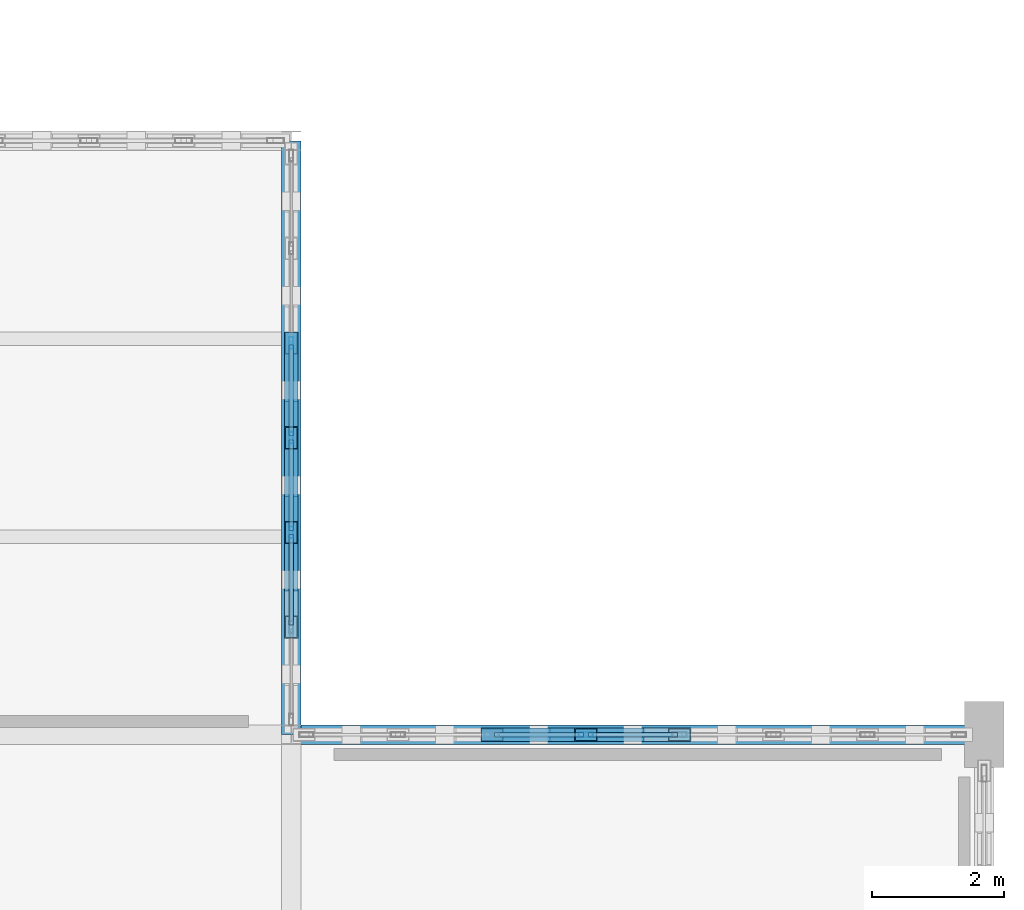
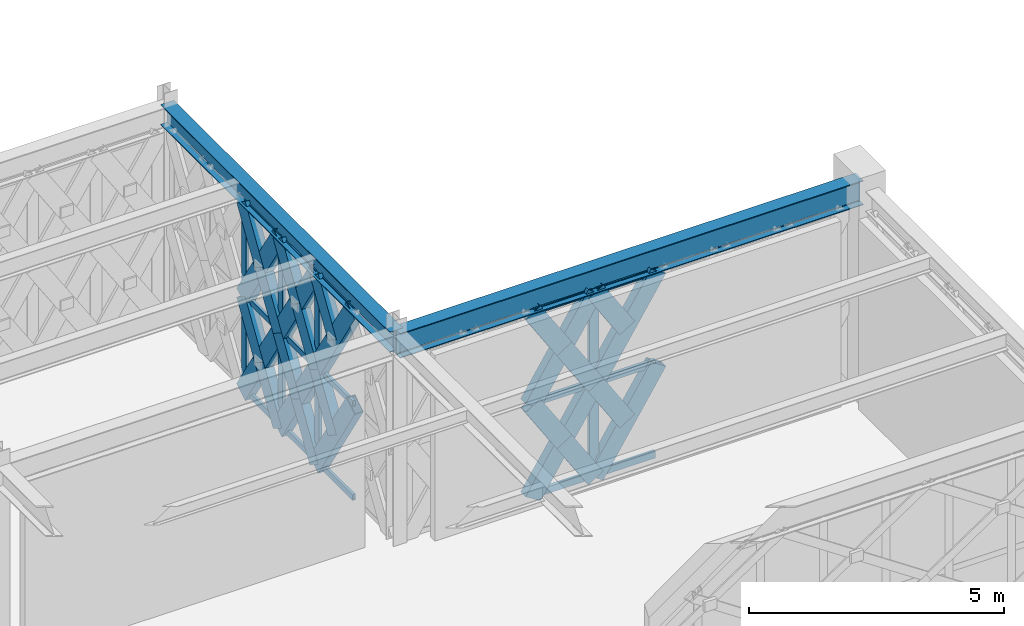
# One storey, part 109 of 155: 45 members, 2 beams, 2 elements without a shape of their own.
"""IFC4 building model written with IfcOpenShell, lengths in metres."""

from ifc_helpers import new_model, si_unit, direction, frame, origin, origin_2d, place, context, subcontext, project, spatial, hollow_rectangle, i_section, extrude, material, material_profile, profile_set, type_object, element, aggregate, save


model = new_model("IFC4")

# Units and contexts
model_context = context("Model", 3, precision=1e-05, world=origin(), true_north=direction((0.0, 1.0)))
body_context = subcontext(model_context, "Body", "Model", "MODEL_VIEW")
ifc_project = project(units=[si_unit("LENGTHUNIT", "METRE"), si_unit("AREAUNIT", "SQUARE_METRE"), si_unit("VOLUMEUNIT", "CUBIC_METRE"), si_unit("PLANEANGLEUNIT", "RADIAN"), si_unit("MASSUNIT", "GRAM", prefix="KILO")], contexts=[model_context])

# Site, building, storey
site_placement = place(None, origin())
site = spatial("IfcSite", under=ifc_project, at=site_placement, CompositionType="ELEMENT")
building_placement = place(site_placement, origin())
building = spatial("IfcBuilding", under=site, at=building_placement, Name="Haizhuo Lancet Aquarium", CompositionType="ELEMENT")
storey_placement = place(building_placement, frame((0.0, 0.0, 10.800048828125)))
storey = spatial("IfcBuildingStorey", under=building, at=storey_placement, Name="L02", CompositionType="ELEMENT", Elevation=10.800048828125)

# Beams
ifc_material_1 = material(Name="Steel S355", Category="steel")
ifc_material_profile_1 = material_profile(ifc_material_1, i_section(OverallWidth=0.300048828125, OverallDepth=0.488037109375, WebThickness=0.010986328125, FlangeThickness=0.01806640625, FilletRadius=0.02392578125, at=origin_2d()), Name="HM 488x300x11x18")
ifc_profile_set_1 = profile_set([ifc_material_profile_1], Name="Steel S355")
beam_type_1 = type_object("IfcBeamType", Name="BM-ST-HM488", PredefinedType="BEAM", material=ifc_profile_set_1)
beam_1_placement = place(storey_placement, frame((72.0, 18.0, 4.805908203125), z_axis=(0.0, 1.0, 0.0), x_axis=(-1.0, 0.0, 0.0)))
element("IfcBeam", 1, at=beam_1_placement, inside=storey, type_object=beam_type_1, Name="L02 V7 primary girder BM-L02-V7-029", PredefinedType="BEAM", context=body_context, shape_type="SweptSolid", body=[
    extrude(i_section(OverallWidth=0.300048828125, OverallDepth=0.488037109375, WebThickness=0.010986328125, FlangeThickness=0.01806640625, FilletRadius=0.02392578125, at=origin_2d()), origin(), (0.0, 0.0, 1.0), 9.0),
])
ifc_material_profile_2 = material_profile(ifc_material_1, i_section(OverallWidth=0.300048828125, OverallDepth=0.587890625, WebThickness=0.011962890625, FlangeThickness=0.02001953125, FilletRadius=0.02587890625, at=origin_2d()), Name="HM 588x300x12x20")
ifc_profile_set_2 = profile_set([ifc_material_profile_2], Name="Steel S355")
beam_type_2 = type_object("IfcBeamType", Name="BM-ST-HM588", PredefinedType="BEAM", material=ifc_profile_set_2)
beam_2_placement = place(storey_placement, frame((72.0, 18.0, 4.755859375), z_axis=(1.0, 0.0, 0.0), x_axis=(0.0, 1.0, 0.0)))
element("IfcBeam", 2, at=beam_2_placement, inside=storey, type_object=beam_type_2, Name="L02 V7 primary girder BM-L02-V7-030", PredefinedType="BEAM", context=body_context, shape_type="SweptSolid", body=[
    extrude(i_section(OverallWidth=0.300048828125, OverallDepth=0.587890625, WebThickness=0.011962890625, FlangeThickness=0.02001953125, FilletRadius=0.02587890625, at=origin_2d()), origin(), (0.0, 0.0, 1.0), 10.5),
])

# Curtain wall, members
ifc_material_2 = material(Name="Aluminium 6063-T6", Category="aluminium")
curtain_wall_type_1 = type_object("IfcCurtainWallType", Name="CWD-8610x4560", PredefinedType="NOTDEFINED", material=ifc_material_2)
curtain_wall_1_placement = place(storey_placement, origin())
curtain_wall_1 = element("IfcCurtainWall", 3, at=curtain_wall_1_placement, inside=storey, type_object=curtain_wall_type_1, Name="L02 curtain wall CW-V7-L02-301", PredefinedType="NOTDEFINED")
ifc_material_profile_3 = material_profile(ifc_material_2, hollow_rectangle(XDim=0.06494140625, YDim=0.179931640625, WallThickness=0.00390625, at=origin_2d()), Name="ALU-M 65x180x4")
ifc_profile_set_3 = profile_set([ifc_material_profile_3], Name="Aluminium 6063-T6")
member_type_1 = type_object("IfcMemberType", Name="CW-MUL-1", PredefinedType="MULLION", material=ifc_profile_set_3)
member_1_placement = place(storey_placement, frame((72.0, 23.93505859375, 0.0), z_axis=(0.0, 0.0, 1.0), x_axis=(1.0, 0.0, 0.0)))
member_1 = element("IfcMember", 4, at=member_1_placement, type_object=member_type_1, Name="CWD-86x45 mullion 3", PredefinedType="MULLION", context=body_context, shape_type="SweptSolid", body=[
    extrude(hollow_rectangle(XDim=0.06494140625, YDim=0.179931640625, WallThickness=0.00390625, at=origin_2d()), origin(), (0.0, 0.0, 1.0), 4.56201171875),
])
member_2_placement = place(storey_placement, frame((72.0, 22.5, 0.0), z_axis=(0.0, 0.0, 1.0), x_axis=(1.0, 0.0, 0.0)))
member_2 = element("IfcMember", 5, at=member_2_placement, type_object=member_type_1, Name="CWD-86x45 mullion 4", PredefinedType="MULLION", context=body_context, shape_type="SweptSolid", body=[
    extrude(hollow_rectangle(XDim=0.06494140625, YDim=0.179931640625, WallThickness=0.00390625, at=origin_2d()), origin(), (0.0, 0.0, 1.0), 4.56201171875),
])
member_3_placement = place(storey_placement, frame((72.0, 21.06494140625, 0.0), z_axis=(0.0, 0.0, 1.0), x_axis=(1.0, 0.0, 0.0)))
member_3 = element("IfcMember", 6, at=member_3_placement, type_object=member_type_1, Name="CWD-86x45 mullion 5", PredefinedType="MULLION", context=body_context, shape_type="SweptSolid", body=[
    extrude(hollow_rectangle(XDim=0.06494140625, YDim=0.179931640625, WallThickness=0.00390625, at=origin_2d()), origin(), (0.0, 0.0, 1.0), 4.56201171875),
])

# Curtain wall, member
curtain_wall_type_2 = type_object("IfcCurtainWallType", Name="CWD-9960x4460", PredefinedType="NOTDEFINED", material=ifc_material_2)
curtain_wall_2_placement = place(storey_placement, origin())
curtain_wall_2 = element("IfcCurtainWall", 7, at=curtain_wall_2_placement, inside=storey, type_object=curtain_wall_type_2, Name="L02 curtain wall CW-V7-L02-302", PredefinedType="NOTDEFINED")
ifc_material_profile_4 = material_profile(ifc_material_2, hollow_rectangle(XDim=0.074951171875, YDim=0.219970703125, WallThickness=0.0048828125, at=origin_2d()), Name="ALU-M 75x220x5")
ifc_profile_set_4 = profile_set([ifc_material_profile_4], Name="Aluminium 6063-T6")
member_type_2 = type_object("IfcMemberType", Name="CW-MUL-2", PredefinedType="MULLION", material=ifc_profile_set_4)
member_4_placement = place(storey_placement, frame((76.464111328125, 18.0, 0.0), z_axis=(0.0, 0.0, 1.0), x_axis=(0.0, 1.0, 0.0)))
member_4 = element("IfcMember", 8, at=member_4_placement, type_object=member_type_2, Name="CWD-99x44 mullion 4", PredefinedType="MULLION", context=body_context, shape_type="SweptSolid", body=[
    extrude(hollow_rectangle(XDim=0.074951171875, YDim=0.219970703125, WallThickness=0.0048828125, at=origin_2d()), origin(), (0.0, 0.0, 1.0), 4.4619140625),
])

# Member
ifc_material_profile_5 = material_profile(ifc_material_2, hollow_rectangle(XDim=0.06494140625, YDim=0.139892578125, WallThickness=0.00390625, at=origin_2d()), Name="ALU-T 65x140x4")
ifc_profile_set_5 = profile_set([ifc_material_profile_5], Name="Aluminium 6063-T6")
member_type_3 = type_object("IfcMemberType", Name="CW-TRN-1", PredefinedType="NOTDEFINED", material=ifc_profile_set_5)
member_5_placement = place(storey_placement, frame((72.0, 23.902099609375, 0.032958984375), z_axis=(0.0, -1.0, 0.0), x_axis=(1.0, 0.0, 0.0)))
member_5 = element("IfcMember", 9, at=member_5_placement, type_object=member_type_3, Name="CWD-86x45 transom 3.1", ObjectType="TRANSOM", PredefinedType="USERDEFINED", context=body_context, shape_type="SweptSolid", body=[
    extrude(hollow_rectangle(XDim=0.06494140625, YDim=0.139892578125, WallThickness=0.00390625, at=origin_2d()), origin(), (0.0, 0.0, 1.0), 1.3701171875),
])

member_6_placement = place(storey_placement, frame((72.0, 23.902099609375, 2.281005859375), z_axis=(0.0, -1.0, 0.0), x_axis=(1.0, 0.0, 0.0)))
member_6 = element("IfcMember", 10, at=member_6_placement, type_object=member_type_3, Name="CWD-86x45 transom 3.2", ObjectType="TRANSOM", PredefinedType="USERDEFINED", context=body_context, shape_type="SweptSolid", body=[
    extrude(hollow_rectangle(XDim=0.06494140625, YDim=0.139892578125, WallThickness=0.00390625, at=origin_2d()), origin(), (0.0, 0.0, 1.0), 1.3701171875),
])

member_7_placement = place(storey_placement, frame((72.0, 23.902099609375, 4.529052734375), z_axis=(0.0, -1.0, 0.0), x_axis=(1.0, 0.0, 0.0)))
member_7 = element("IfcMember", 11, at=member_7_placement, type_object=member_type_3, Name="CWD-86x45 transom 3.3", ObjectType="TRANSOM", PredefinedType="USERDEFINED", context=body_context, shape_type="SweptSolid", body=[
    extrude(hollow_rectangle(XDim=0.06494140625, YDim=0.139892578125, WallThickness=0.00390625, at=origin_2d()), origin(), (0.0, 0.0, 1.0), 1.3701171875),
])

member_8_placement = place(storey_placement, frame((72.0, 22.468017578125, 0.032958984375), z_axis=(0.0, -1.0, 0.0), x_axis=(1.0, 0.0, 0.0)))
member_8 = element("IfcMember", 12, at=member_8_placement, type_object=member_type_3, Name="CWD-86x45 transom 4.1", ObjectType="TRANSOM", PredefinedType="USERDEFINED", context=body_context, shape_type="SweptSolid", body=[
    extrude(hollow_rectangle(XDim=0.06494140625, YDim=0.139892578125, WallThickness=0.00390625, at=origin_2d()), origin(), (0.0, 0.0, 1.0), 1.3701171875),
])

member_9_placement = place(storey_placement, frame((72.0, 22.468017578125, 2.281005859375), z_axis=(0.0, -1.0, 0.0), x_axis=(1.0, 0.0, 0.0)))
member_9 = element("IfcMember", 13, at=member_9_placement, type_object=member_type_3, Name="CWD-86x45 transom 4.2", ObjectType="TRANSOM", PredefinedType="USERDEFINED", context=body_context, shape_type="SweptSolid", body=[
    extrude(hollow_rectangle(XDim=0.06494140625, YDim=0.139892578125, WallThickness=0.00390625, at=origin_2d()), origin(), (0.0, 0.0, 1.0), 1.3701171875),
])

member_10_placement = place(storey_placement, frame((72.0, 22.468017578125, 4.529052734375), z_axis=(0.0, -1.0, 0.0), x_axis=(1.0, 0.0, 0.0)))
member_10 = element("IfcMember", 14, at=member_10_placement, type_object=member_type_3, Name="CWD-86x45 transom 4.3", ObjectType="TRANSOM", PredefinedType="USERDEFINED", context=body_context, shape_type="SweptSolid", body=[
    extrude(hollow_rectangle(XDim=0.06494140625, YDim=0.139892578125, WallThickness=0.00390625, at=origin_2d()), origin(), (0.0, 0.0, 1.0), 1.3701171875),
])

member_11_placement = place(storey_placement, frame((72.0, 21.031982421875, 0.032958984375), z_axis=(0.0, -1.0, 0.0), x_axis=(1.0, 0.0, 0.0)))
member_11 = element("IfcMember", 15, at=member_11_placement, type_object=member_type_3, Name="CWD-86x45 transom 5.1", ObjectType="TRANSOM", PredefinedType="USERDEFINED", context=body_context, shape_type="SweptSolid", body=[
    extrude(hollow_rectangle(XDim=0.06494140625, YDim=0.139892578125, WallThickness=0.00390625, at=origin_2d()), origin(), (0.0, 0.0, 1.0), 1.368896484375),
])

member_12_placement = place(storey_placement, frame((72.0, 21.031982421875, 2.281005859375), z_axis=(0.0, -1.0, 0.0), x_axis=(1.0, 0.0, 0.0)))
member_12 = element("IfcMember", 16, at=member_12_placement, type_object=member_type_3, Name="CWD-86x45 transom 5.2", ObjectType="TRANSOM", PredefinedType="USERDEFINED", context=body_context, shape_type="SweptSolid", body=[
    extrude(hollow_rectangle(XDim=0.06494140625, YDim=0.139892578125, WallThickness=0.00390625, at=origin_2d()), origin(), (0.0, 0.0, 1.0), 1.368896484375),
])

member_13_placement = place(storey_placement, frame((72.0, 21.031982421875, 4.529052734375), z_axis=(0.0, -1.0, 0.0), x_axis=(1.0, 0.0, 0.0)))
member_13 = element("IfcMember", 17, at=member_13_placement, type_object=member_type_3, Name="CWD-86x45 transom 5.3", ObjectType="TRANSOM", PredefinedType="USERDEFINED", context=body_context, shape_type="SweptSolid", body=[
    extrude(hollow_rectangle(XDim=0.06494140625, YDim=0.139892578125, WallThickness=0.00390625, at=origin_2d()), origin(), (0.0, 0.0, 1.0), 1.368896484375),
])

aggregate(curtain_wall_1, [member_1, member_2, member_3, member_5, member_6, member_7, member_8, member_9, member_10, member_11, member_12, member_13])

ifc_material_profile_6 = material_profile(ifc_material_2, hollow_rectangle(XDim=0.074951171875, YDim=0.159912109375, WallThickness=0.00390625, at=origin_2d()), Name="ALU-T 75x160x4")
ifc_profile_set_6 = profile_set([ifc_material_profile_6], Name="Aluminium 6063-T6")
member_type_4 = type_object("IfcMemberType", Name="CW-TRN-2", PredefinedType="NOTDEFINED", material=ifc_profile_set_6)
member_14_placement = place(storey_placement, frame((75.077880859375, 18.0, 0.037841796875), z_axis=(1.0, 0.0, 0.0), x_axis=(0.0, 1.0, 0.0)))
member_14 = element("IfcMember", 18, at=member_14_placement, type_object=member_type_4, Name="CWD-99x44 transom 3.1", ObjectType="TRANSOM", PredefinedType="USERDEFINED", context=body_context, shape_type="SweptSolid", body=[
    extrude(hollow_rectangle(XDim=0.074951171875, YDim=0.159912109375, WallThickness=0.00390625, at=origin_2d()), origin(), (0.0, 0.0, 1.0), 1.34814453125),
])

member_15_placement = place(storey_placement, frame((75.077880859375, 18.0, 2.23095703125), z_axis=(1.0, 0.0, 0.0), x_axis=(0.0, 1.0, 0.0)))
member_15 = element("IfcMember", 19, at=member_15_placement, type_object=member_type_4, Name="CWD-99x44 transom 3.2", ObjectType="TRANSOM", PredefinedType="USERDEFINED", context=body_context, shape_type="SweptSolid", body=[
    extrude(hollow_rectangle(XDim=0.074951171875, YDim=0.159912109375, WallThickness=0.00390625, at=origin_2d()), origin(), (0.0, 0.0, 1.0), 1.34814453125),
])

member_16_placement = place(storey_placement, frame((75.077880859375, 18.0, 4.425048828125), z_axis=(1.0, 0.0, 0.0), x_axis=(0.0, 1.0, 0.0)))
member_16 = element("IfcMember", 20, at=member_16_placement, type_object=member_type_4, Name="CWD-99x44 transom 3.3", ObjectType="TRANSOM", PredefinedType="USERDEFINED", context=body_context, shape_type="SweptSolid", body=[
    extrude(hollow_rectangle(XDim=0.074951171875, YDim=0.159912109375, WallThickness=0.00390625, at=origin_2d()), origin(), (0.0, 0.0, 1.0), 1.34814453125),
])

member_17_placement = place(storey_placement, frame((76.5009765625, 18.0, 0.037841796875), z_axis=(1.0, 0.0, 0.0), x_axis=(0.0, 1.0, 0.0)))
member_17 = element("IfcMember", 21, at=member_17_placement, type_object=member_type_4, Name="CWD-99x44 transom 4.1", ObjectType="TRANSOM", PredefinedType="USERDEFINED", context=body_context, shape_type="SweptSolid", body=[
    extrude(hollow_rectangle(XDim=0.074951171875, YDim=0.159912109375, WallThickness=0.00390625, at=origin_2d()), origin(), (0.0, 0.0, 1.0), 1.34814453125),
])

member_18_placement = place(storey_placement, frame((76.5009765625, 18.0, 2.23095703125), z_axis=(1.0, 0.0, 0.0), x_axis=(0.0, 1.0, 0.0)))
member_18 = element("IfcMember", 22, at=member_18_placement, type_object=member_type_4, Name="CWD-99x44 transom 4.2", ObjectType="TRANSOM", PredefinedType="USERDEFINED", context=body_context, shape_type="SweptSolid", body=[
    extrude(hollow_rectangle(XDim=0.074951171875, YDim=0.159912109375, WallThickness=0.00390625, at=origin_2d()), origin(), (0.0, 0.0, 1.0), 1.34814453125),
])

member_19_placement = place(storey_placement, frame((76.5009765625, 18.0, 4.425048828125), z_axis=(1.0, 0.0, 0.0), x_axis=(0.0, 1.0, 0.0)))
member_19 = element("IfcMember", 23, at=member_19_placement, type_object=member_type_4, Name="CWD-99x44 transom 4.3", ObjectType="TRANSOM", PredefinedType="USERDEFINED", context=body_context, shape_type="SweptSolid", body=[
    extrude(hollow_rectangle(XDim=0.074951171875, YDim=0.159912109375, WallThickness=0.00390625, at=origin_2d()), origin(), (0.0, 0.0, 1.0), 1.34814453125),
])

aggregate(curtain_wall_2, [member_4, member_14, member_15, member_16, member_17, member_18, member_19])

# Members
ifc_material_profile_7 = material_profile(ifc_material_1, hollow_rectangle(XDim=0.199951171875, YDim=0.39990234375, WallThickness=0.011962890625, at=origin_2d()), Name="RHS 200x400x12")
ifc_profile_set_7 = profile_set([ifc_material_profile_7], Name="Steel S355")
member_type_5 = type_object("IfcMemberType", Name="MEM-LB-RHS200x400", PredefinedType="BRACE", material=ifc_profile_set_7)
member_20_placement = place(storey_placement, frame((72.0, 23.93505859375, 0.0), z_axis=(0.0, -0.532512886885, 0.846421895571), x_axis=(1.0, 0.0, 0.0)))
element("IfcMember", 24, at=member_20_placement, inside=storey, type_object=member_type_5, Name="Gothic lancet continuous diagonal brace CW-V7-L02-301 5A", PredefinedType="BRACE", context=body_context, shape_type="SweptSolid", body=[
    extrude(hollow_rectangle(XDim=0.199951171875, YDim=0.39990234375, WallThickness=0.011962890625, at=origin_2d()), origin(), (0.0, 0.0, 1.0), 2.69482421875),
])
member_21_placement = place(storey_placement, frame((72.0, 22.5, 0.0), z_axis=(0.0, 0.532649938865, 0.846335656006), x_axis=(-1.0, 0.0, 0.0)))
element("IfcMember", 25, at=member_21_placement, inside=storey, type_object=member_type_5, Name="Gothic lancet split diagonal brace CW-V7-L02-301 5B1", PredefinedType="BRACE", context=body_context, shape_type="SweptSolid", body=[
    extrude(hollow_rectangle(XDim=0.199951171875, YDim=0.39990234375, WallThickness=0.011962890625, at=origin_2d()), origin(), (0.0, 0.0, 1.0), 1.347900390625),
])
member_22_placement = place(storey_placement, frame((72.0, 23.218017578125, 1.140869140625), z_axis=(0.0, 0.532375704926, 0.846508185905), x_axis=(-1.0, 0.0, 0.0)))
element("IfcMember", 26, at=member_22_placement, inside=storey, type_object=member_type_5, Name="Gothic lancet split diagonal brace CW-V7-L02-301 5B2", PredefinedType="BRACE", context=body_context, shape_type="SweptSolid", body=[
    extrude(hollow_rectangle(XDim=0.199951171875, YDim=0.39990234375, WallThickness=0.011962890625, at=origin_2d()), origin(), (0.0, 0.0, 1.0), 1.346923828125),
])
member_23_placement = place(storey_placement, frame((72.0, 23.93505859375, 2.281005859375), z_axis=(0.0, -0.532512886885, 0.846421895571), x_axis=(1.0, 0.0, 0.0)))
element("IfcMember", 27, at=member_23_placement, inside=storey, type_object=member_type_5, Name="Gothic lancet continuous diagonal brace CW-V7-L02-301 6A", PredefinedType="BRACE", context=body_context, shape_type="SweptSolid", body=[
    extrude(hollow_rectangle(XDim=0.199951171875, YDim=0.39990234375, WallThickness=0.011962890625, at=origin_2d()), origin(), (0.0, 0.0, 1.0), 2.69482421875),
])
member_24_placement = place(storey_placement, frame((72.0, 22.5, 2.281005859375), z_axis=(0.0, 0.532976680835, 0.846129929554), x_axis=(-1.0, 0.0, 0.0)))
element("IfcMember", 28, at=member_24_placement, inside=storey, type_object=member_type_5, Name="Gothic lancet split diagonal brace CW-V7-L02-301 6B1", PredefinedType="BRACE", context=body_context, shape_type="SweptSolid", body=[
    extrude(hollow_rectangle(XDim=0.199951171875, YDim=0.39990234375, WallThickness=0.011962890625, at=origin_2d()), origin(), (0.0, 0.0, 1.0), 1.34716796875),
])
member_25_placement = place(storey_placement, frame((72.0, 23.218017578125, 3.4208984375), z_axis=(0.0, 0.532049109697, 0.846713496332), x_axis=(-1.0, 0.0, 0.0)))
element("IfcMember", 29, at=member_25_placement, inside=storey, type_object=member_type_5, Name="Gothic lancet split diagonal brace CW-V7-L02-301 6B2", PredefinedType="BRACE", context=body_context, shape_type="SweptSolid", body=[
    extrude(hollow_rectangle(XDim=0.199951171875, YDim=0.39990234375, WallThickness=0.011962890625, at=origin_2d()), origin(), (0.0, 0.0, 1.0), 1.34765625),
])
member_26_placement = place(storey_placement, frame((72.0, 22.5, 0.0), z_axis=(0.0, -0.532512886885, 0.846421895571), x_axis=(1.0, 0.0, 0.0)))
element("IfcMember", 30, at=member_26_placement, inside=storey, type_object=member_type_5, Name="Gothic lancet continuous diagonal brace CW-V7-L02-301 7A", PredefinedType="BRACE", context=body_context, shape_type="SweptSolid", body=[
    extrude(hollow_rectangle(XDim=0.199951171875, YDim=0.39990234375, WallThickness=0.011962890625, at=origin_2d()), origin(), (0.0, 0.0, 1.0), 2.69482421875),
])
for number, where, z_axis, x_axis, name in (
    (31, (72.0, 21.06494140625, 0.0), (0.0, 0.532130728354, 0.846662204153), (-1.0, 0.0, 0.0), "Gothic lancet split diagonal brace CW-V7-L02-301 7B1"),
    (32, (72.0, 21.781982421875, 1.140869140625), (0.0, 0.532894965217, 0.846181396656), (-1.0, 0.0, 0.0), "Gothic lancet split diagonal brace CW-V7-L02-301 7B2"),
):
    element("IfcMember", number, at=place(storey_placement, frame(where, z_axis=z_axis, x_axis=x_axis)), inside=storey, type_object=member_type_5, Name=name, PredefinedType="BRACE", context=body_context, shape_type="SweptSolid", body=[
        extrude(hollow_rectangle(XDim=0.199951171875, YDim=0.39990234375, WallThickness=0.011962890625, at=origin_2d()), origin(), (0.0, 0.0, 1.0), 1.347412109375),
    ])
member_27_placement = place(storey_placement, frame((72.0, 22.5, 2.281005859375), z_axis=(0.0, -0.532512886885, 0.846421895571), x_axis=(1.0, 0.0, 0.0)))
element("IfcMember", 33, at=member_27_placement, inside=storey, type_object=member_type_5, Name="Gothic lancet continuous diagonal brace CW-V7-L02-301 8A", PredefinedType="BRACE", context=body_context, shape_type="SweptSolid", body=[
    extrude(hollow_rectangle(XDim=0.199951171875, YDim=0.39990234375, WallThickness=0.011962890625, at=origin_2d()), origin(), (0.0, 0.0, 1.0), 2.69482421875),
])
member_28_placement = place(storey_placement, frame((72.0, 21.06494140625, 2.281005859375), z_axis=(0.0, 0.532457404, 0.846456799208), x_axis=(-1.0, 0.0, 0.0)))
element("IfcMember", 34, at=member_28_placement, inside=storey, type_object=member_type_5, Name="Gothic lancet split diagonal brace CW-V7-L02-301 8B1", PredefinedType="BRACE", context=body_context, shape_type="SweptSolid", body=[
    extrude(hollow_rectangle(XDim=0.199951171875, YDim=0.39990234375, WallThickness=0.011962890625, at=origin_2d()), origin(), (0.0, 0.0, 1.0), 1.3466796875),
])
member_29_placement = place(storey_placement, frame((72.0, 21.781982421875, 3.4208984375), z_axis=(0.0, 0.532568303565, 0.846387028515), x_axis=(-1.0, 0.0, 0.0)))
element("IfcMember", 35, at=member_29_placement, inside=storey, type_object=member_type_5, Name="Gothic lancet split diagonal brace CW-V7-L02-301 8B2", PredefinedType="BRACE", context=body_context, shape_type="SweptSolid", body=[
    extrude(hollow_rectangle(XDim=0.199951171875, YDim=0.39990234375, WallThickness=0.011962890625, at=origin_2d()), origin(), (0.0, 0.0, 1.0), 1.34814453125),
])
member_30_placement = place(storey_placement, frame((72.0, 21.06494140625, 0.0), z_axis=(0.0, -0.532512886885, 0.846421895571), x_axis=(1.0, 0.0, 0.0)))
element("IfcMember", 36, at=member_30_placement, inside=storey, type_object=member_type_5, Name="Gothic lancet continuous diagonal brace CW-V7-L02-301 9A", PredefinedType="BRACE", context=body_context, shape_type="SweptSolid", body=[
    extrude(hollow_rectangle(XDim=0.199951171875, YDim=0.39990234375, WallThickness=0.011962890625, at=origin_2d()), origin(), (0.0, 0.0, 1.0), 2.69482421875),
])
member_31_placement = place(storey_placement, frame((72.0, 20.347900390625, 1.140869140625), z_axis=(0.0, 0.532375704926, 0.846508185905), x_axis=(-1.0, 0.0, 0.0)))
element("IfcMember", 37, at=member_31_placement, inside=storey, type_object=member_type_5, Name="Gothic lancet split diagonal brace CW-V7-L02-301 9B2", PredefinedType="BRACE", context=body_context, shape_type="SweptSolid", body=[
    extrude(hollow_rectangle(XDim=0.199951171875, YDim=0.39990234375, WallThickness=0.011962890625, at=origin_2d()), origin(), (0.0, 0.0, 1.0), 1.346923828125),
])
member_32_placement = place(storey_placement, frame((72.0, 21.06494140625, 2.281005859375), z_axis=(0.0, -0.532512886885, 0.846421895571), x_axis=(1.0, 0.0, 0.0)))
element("IfcMember", 38, at=member_32_placement, inside=storey, type_object=member_type_5, Name="Gothic lancet continuous diagonal brace CW-V7-L02-301 10A", PredefinedType="BRACE", context=body_context, shape_type="SweptSolid", body=[
    extrude(hollow_rectangle(XDim=0.199951171875, YDim=0.39990234375, WallThickness=0.011962890625, at=origin_2d()), origin(), (0.0, 0.0, 1.0), 2.69482421875),
])
member_33_placement = place(storey_placement, frame((72.0, 20.347900390625, 3.4208984375), z_axis=(0.0, 0.532049109697, 0.846713496332), x_axis=(-1.0, 0.0, 0.0)))
element("IfcMember", 39, at=member_33_placement, inside=storey, type_object=member_type_5, Name="Gothic lancet split diagonal brace CW-V7-L02-301 10B2", PredefinedType="BRACE", context=body_context, shape_type="SweptSolid", body=[
    extrude(hollow_rectangle(XDim=0.199951171875, YDim=0.39990234375, WallThickness=0.011962890625, at=origin_2d()), origin(), (0.0, 0.0, 1.0), 1.34765625),
])
member_34_placement = place(storey_placement, frame((75.041015625, 18.0, 0.0), z_axis=(0.53778856008, 0.0, 0.843079749874), x_axis=(0.0, 1.0, 0.0)))
element("IfcMember", 40, at=member_34_placement, inside=storey, type_object=member_type_5, Name="Gothic lancet continuous diagonal brace CW-V7-L02-302 5A", PredefinedType="BRACE", context=body_context, shape_type="SweptSolid", body=[
    extrude(hollow_rectangle(XDim=0.199951171875, YDim=0.39990234375, WallThickness=0.011962890625, at=origin_2d()), origin(), (0.0, 0.0, 1.0), 2.646240234375),
])
member_35_placement = place(storey_placement, frame((76.464111328125, 18.0, 0.0), z_axis=(-0.537949024271, 0.0, 0.842977370566), x_axis=(0.0, -1.0, 0.0)))
element("IfcMember", 41, at=member_35_placement, inside=storey, type_object=member_type_5, Name="Gothic lancet split diagonal brace CW-V7-L02-302 5B1", PredefinedType="BRACE", context=body_context, shape_type="SweptSolid", body=[
    extrude(hollow_rectangle(XDim=0.199951171875, YDim=0.39990234375, WallThickness=0.011962890625, at=origin_2d()), origin(), (0.0, 0.0, 1.0), 1.32373046875),
])
member_36_placement = place(storey_placement, frame((75.751953125, 18.0, 1.115966796875), z_axis=(-0.537627896804, 0.0, 0.843182213153), x_axis=(0.0, -1.0, 0.0)))
element("IfcMember", 42, at=member_36_placement, inside=storey, type_object=member_type_5, Name="Gothic lancet split diagonal brace CW-V7-L02-302 5B2", PredefinedType="BRACE", context=body_context, shape_type="SweptSolid", body=[
    extrude(hollow_rectangle(XDim=0.199951171875, YDim=0.39990234375, WallThickness=0.011962890625, at=origin_2d()), origin(), (0.0, 0.0, 1.0), 1.322265625),
])
member_37_placement = place(storey_placement, frame((75.041015625, 18.0, 2.23095703125), z_axis=(0.53778856008, 0.0, 0.843079749874), x_axis=(0.0, 1.0, 0.0)))
element("IfcMember", 43, at=member_37_placement, inside=storey, type_object=member_type_5, Name="Gothic lancet continuous diagonal brace CW-V7-L02-302 6A", PredefinedType="BRACE", context=body_context, shape_type="SweptSolid", body=[
    extrude(hollow_rectangle(XDim=0.199951171875, YDim=0.39990234375, WallThickness=0.011962890625, at=origin_2d()), origin(), (0.0, 0.0, 1.0), 2.646240234375),
])
member_38_placement = place(storey_placement, frame((76.464111328125, 18.0, 2.23095703125), z_axis=(-0.538283709705, 0.0, 0.842763696339), x_axis=(0.0, -1.0, 0.0)))
element("IfcMember", 44, at=member_38_placement, inside=storey, type_object=member_type_5, Name="Gothic lancet split diagonal brace CW-V7-L02-302 6B1", PredefinedType="BRACE", context=body_context, shape_type="SweptSolid", body=[
    extrude(hollow_rectangle(XDim=0.199951171875, YDim=0.39990234375, WallThickness=0.011962890625, at=origin_2d()), origin(), (0.0, 0.0, 1.0), 1.322998046875),
])
member_39_placement = place(storey_placement, frame((75.751953125, 18.0, 3.345947265625), z_axis=(-0.537293287353, 0.0, 0.843395472697), x_axis=(0.0, -1.0, 0.0)))
element("IfcMember", 45, at=member_39_placement, inside=storey, type_object=member_type_5, Name="Gothic lancet split diagonal brace CW-V7-L02-302 6B2", PredefinedType="BRACE", context=body_context, shape_type="SweptSolid", body=[
    extrude(hollow_rectangle(XDim=0.199951171875, YDim=0.39990234375, WallThickness=0.011962890625, at=origin_2d()), origin(), (0.0, 0.0, 1.0), 1.3232421875),
])
member_40_placement = place(storey_placement, frame((76.464111328125, 18.0, 0.0), z_axis=(0.537460550576, 0.0, 0.843288892714), x_axis=(0.0, 1.0, 0.0)))
element("IfcMember", 46, at=member_40_placement, inside=storey, type_object=member_type_5, Name="Gothic lancet continuous diagonal brace CW-V7-L02-302 7A", PredefinedType="BRACE", context=body_context, shape_type="SweptSolid", body=[
    extrude(hollow_rectangle(XDim=0.199951171875, YDim=0.39990234375, WallThickness=0.011962890625, at=origin_2d()), origin(), (0.0, 0.0, 1.0), 2.6455078125),
])
member_41_placement = place(storey_placement, frame((77.175048828125, 18.0, 1.115966796875), z_axis=(-0.537627896804, 0.0, 0.843182213153), x_axis=(0.0, -1.0, 0.0)))
element("IfcMember", 47, at=member_41_placement, inside=storey, type_object=member_type_5, Name="Gothic lancet split diagonal brace CW-V7-L02-302 7B2", PredefinedType="BRACE", context=body_context, shape_type="SweptSolid", body=[
    extrude(hollow_rectangle(XDim=0.199951171875, YDim=0.39990234375, WallThickness=0.011962890625, at=origin_2d()), origin(), (0.0, 0.0, 1.0), 1.322265625),
])
member_42_placement = place(storey_placement, frame((76.464111328125, 18.0, 2.23095703125), z_axis=(0.537460550576, 0.0, 0.843288892714), x_axis=(0.0, 1.0, 0.0)))
element("IfcMember", 48, at=member_42_placement, inside=storey, type_object=member_type_5, Name="Gothic lancet continuous diagonal brace CW-V7-L02-302 8A", PredefinedType="BRACE", context=body_context, shape_type="SweptSolid", body=[
    extrude(hollow_rectangle(XDim=0.199951171875, YDim=0.39990234375, WallThickness=0.011962890625, at=origin_2d()), origin(), (0.0, 0.0, 1.0), 2.6455078125),
])
member_43_placement = place(storey_placement, frame((77.175048828125, 18.0, 3.345947265625), z_axis=(-0.537293287353, 0.0, 0.843395472697), x_axis=(0.0, -1.0, 0.0)))
element("IfcMember", 49, at=member_43_placement, inside=storey, type_object=member_type_5, Name="Gothic lancet split diagonal brace CW-V7-L02-302 8B2", PredefinedType="BRACE", context=body_context, shape_type="SweptSolid", body=[
    extrude(hollow_rectangle(XDim=0.199951171875, YDim=0.39990234375, WallThickness=0.011962890625, at=origin_2d()), origin(), (0.0, 0.0, 1.0), 1.3232421875),
])

save(model, "model.ifc")
